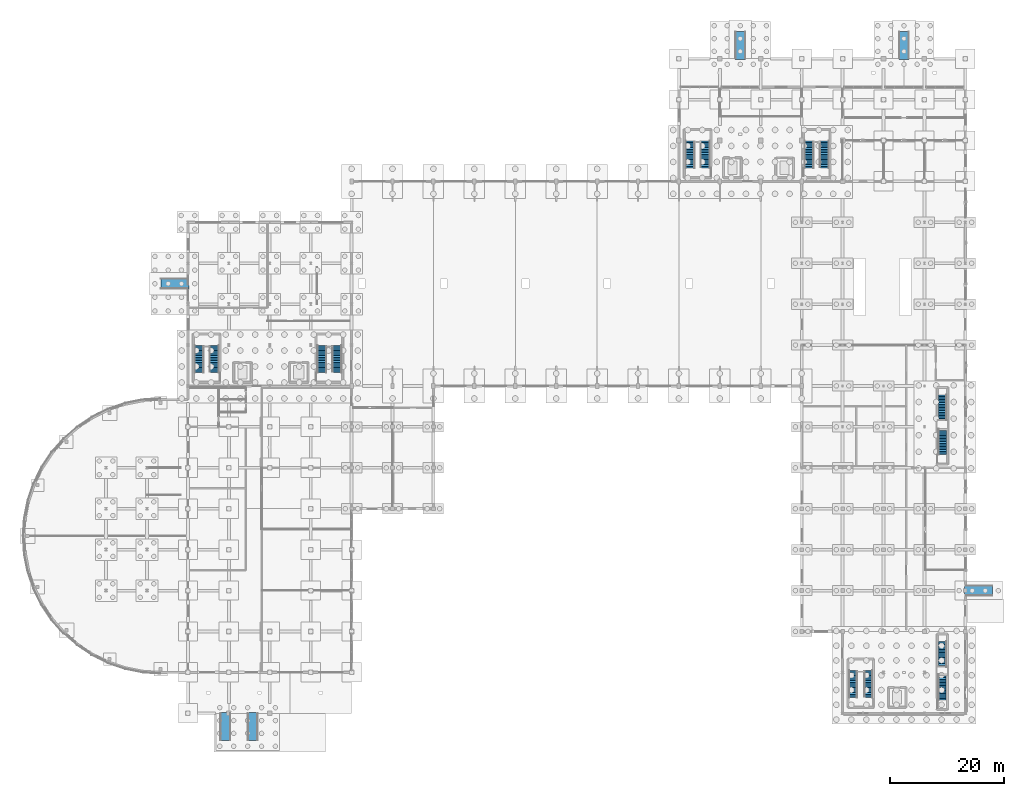
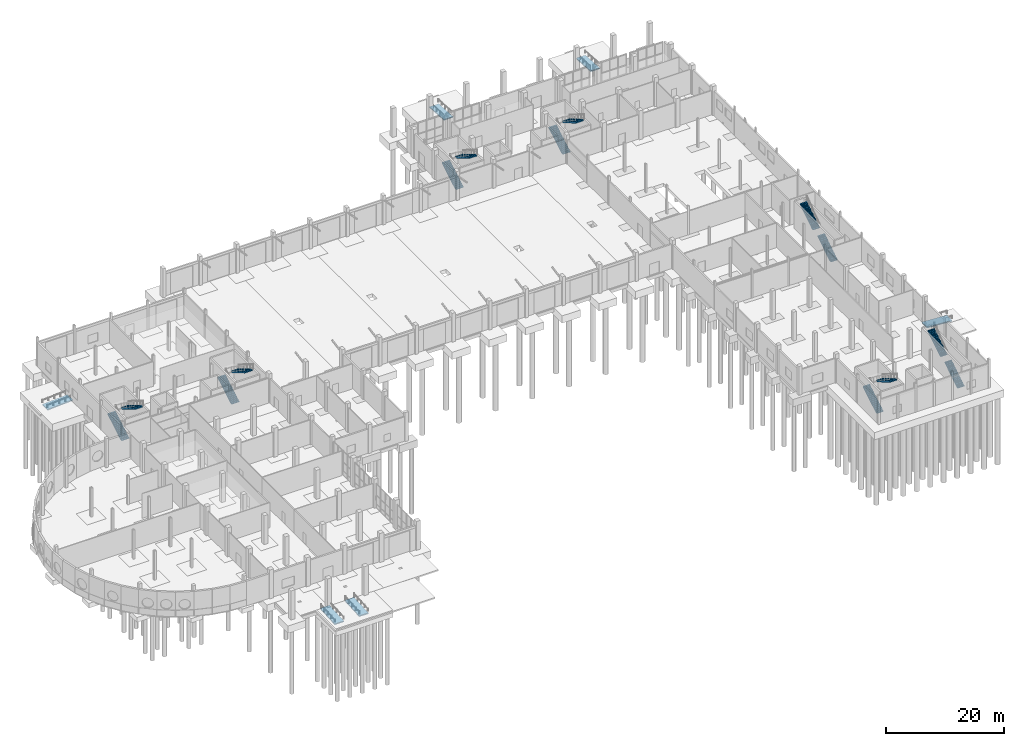
# One storey, part 38 of 45: 14 stair flights, 6 ramp flights, 13 elements without a shape of their own.
"""IFC4 building model written with IfcOpenShell, lengths in metres."""

from ifc_helpers import new_model, si_unit, direction, frame, origin, place, context, subcontext, project, spatial, polyline, outline, extrude, material, type_object, element, aggregate, save


model = new_model("IFC4")

# Units and contexts
model_context = context("Model", 3, precision=1e-05, world=origin(), true_north=direction((0.0, 1.0)))
body_context = subcontext(model_context, "Body", "Model", "MODEL_VIEW")
ifc_project = project(units=[si_unit("LENGTHUNIT", "METRE"), si_unit("AREAUNIT", "SQUARE_METRE"), si_unit("VOLUMEUNIT", "CUBIC_METRE"), si_unit("PLANEANGLEUNIT", "RADIAN"), si_unit("MASSUNIT", "GRAM", prefix="KILO")], contexts=[model_context])

# Site, building, storey
site_placement = place(None, origin())
site = spatial("IfcSite", under=ifc_project, at=site_placement, CompositionType="ELEMENT")
building_placement = place(site_placement, origin())
building = spatial("IfcBuilding", under=site, at=building_placement, Name="Yarey Park Central Fire Station", CompositionType="ELEMENT")
storey_placement = place(building_placement, origin())
storey = spatial("IfcBuildingStorey", under=building, at=storey_placement, Name="L01", CompositionType="ELEMENT", Elevation=0.0)

# Stair, stair flights
ifc_material_1 = material(Name="Concrete C40/50", Category="concrete")
stair_type_1 = type_object("IfcStairType", Name="INT_ST_1RUN_130_H60", PredefinedType="STRAIGHT_RUN_STAIR", material=ifc_material_1)
stair_1_placement = place(storey_placement, origin())
stair_1 = element("IfcStair", 1, at=stair_1_placement, inside=storey, type_object=stair_type_1, Name="Exit Stair ST-6 L01", PredefinedType="STRAIGHT_RUN_STAIR")
stair_flight_type_1 = type_object("IfcStairFlightType", Name="INT_FLT_130S_17", PredefinedType="STRAIGHT", material=ifc_material_1)
stair_flight_1_placement = place(storey_placement, frame((161.550048828125, 2.35009765625, 0.0), z_axis=(0.0, 0.0, 1.0), x_axis=(0.0, 1.0, 0.0)))
stair_flight_1 = element("IfcStairFlight", 2, at=stair_flight_1_placement, type_object=stair_flight_type_1, Name="STAIR_C6_L01_F1", NumberOfRisers=17, NumberOfTreads=16, PredefinedType="STRAIGHT", RiserHeight=0.176471, TreadLength=0.28, context=body_context, shape_type="SweptSolid", body=[
    extrude(outline(polyline([(0.0, 0.0), (0.0, 0.176513671875), (0.280029296875, 0.176513671875), (0.280029296875, 0.35302734375), (0.56005859375, 0.35302734375), (0.56005859375, 0.529296875), (0.840087890625, 0.529296875), (0.840087890625, 0.705810546875), (1.1201171875, 0.705810546875), (1.1201171875, 0.88232421875), (1.39990234375, 0.88232421875), (1.39990234375, 1.058837890625), (1.679931640625, 1.058837890625), (1.679931640625, 1.2353515625), (1.9599609375, 1.2353515625), (1.9599609375, 1.411865234375), (2.239990234375, 1.411865234375), (2.239990234375, 1.588134765625), (2.52001953125, 1.588134765625), (2.52001953125, 1.7646484375), (2.800048828125, 1.7646484375), (2.800048828125, 1.941162109375), (3.080078125, 1.941162109375), (3.080078125, 2.11767578125), (3.360107421875, 2.11767578125), (3.360107421875, 2.294189453125), (3.639892578125, 2.294189453125), (3.639892578125, 2.470703125), (3.919921875, 2.470703125), (3.919921875, 2.64697265625), (4.199951171875, 2.64697265625), (4.199951171875, 2.823486328125), (4.47998046875, 2.823486328125), (4.47998046875, 3.0), (4.47998046875, 2.5634765625), (0.41259765625, 0.0), (0.0, 0.0)])), frame((0.0, 0.64990234375, 0.0), z_axis=(0.0, -1.0, 0.0), x_axis=(1.0, 0.0, 0.0)), (0.0, 0.0, 1.0), 1.300048828125),
])
stair_flight_2_placement = place(storey_placement, frame((161.550048828125, 8.169921875, 3.0), z_axis=(0.0, 0.0, 1.0), x_axis=(0.0, 1.0, 0.0)))
stair_flight_2 = element("IfcStairFlight", 3, at=stair_flight_2_placement, type_object=stair_flight_type_1, Name="STAIR_C6_L01_F2", NumberOfRisers=17, NumberOfTreads=16, PredefinedType="STRAIGHT", RiserHeight=0.176471, TreadLength=0.28, context=body_context, shape_type="SweptSolid", body=[
    extrude(outline(polyline([(0.0, 0.0), (0.0, 0.176513671875), (0.280029296875, 0.176513671875), (0.280029296875, 0.35302734375), (0.56005859375, 0.35302734375), (0.56005859375, 0.529296875), (0.840087890625, 0.529296875), (0.840087890625, 0.705810546875), (1.1201171875, 0.705810546875), (1.1201171875, 0.88232421875), (1.39990234375, 0.88232421875), (1.39990234375, 1.058837890625), (1.679931640625, 1.058837890625), (1.679931640625, 1.2353515625), (1.9599609375, 1.2353515625), (1.9599609375, 1.411865234375), (2.239990234375, 1.411865234375), (2.239990234375, 1.588134765625), (2.52001953125, 1.588134765625), (2.52001953125, 1.7646484375), (2.800048828125, 1.7646484375), (2.800048828125, 1.941162109375), (3.080078125, 1.941162109375), (3.080078125, 2.11767578125), (3.360107421875, 2.11767578125), (3.360107421875, 2.294189453125), (3.639892578125, 2.294189453125), (3.639892578125, 2.470703125), (3.919921875, 2.470703125), (3.919921875, 2.64697265625), (4.199951171875, 2.64697265625), (4.199951171875, 2.823486328125), (4.47998046875, 2.823486328125), (4.47998046875, 3.0), (4.47998046875, 2.5634765625), (0.41259765625, 0.0), (0.0, 0.0)])), frame((0.0, 0.64990234375, 0.0), z_axis=(0.0, -1.0, 0.0), x_axis=(1.0, 0.0, 0.0)), (0.0, 0.0, 1.0), 1.300048828125),
])
aggregate(stair_1, [stair_flight_1, stair_flight_2])

stair_type_2 = type_object("IfcStairType", Name="INT_ST_2RUN_130_H60", PredefinedType="USERDEFINED", material=ifc_material_1)
stair_2_placement = place(storey_placement, origin())
stair_2 = element("IfcStair", 4, at=stair_2_placement, inside=storey, type_object=stair_type_2, Name="Exit Stair ST-5 L01", ObjectType="TWO_RUN_STAIR", PredefinedType="USERDEFINED")
stair_flight_type_2 = type_object("IfcStairFlightType", Name="INT_FLT_130_17", PredefinedType="STRAIGHT", material=ifc_material_1)
stair_flight_3_placement = place(storey_placement, frame((145.89990234375, 2.75, 0.0), z_axis=(0.0, 0.0, 1.0), x_axis=(0.0, 1.0, 0.0)))
stair_flight_3 = element("IfcStairFlight", 5, at=stair_flight_3_placement, type_object=stair_flight_type_2, Name="STAIR_C5_L01_F1", NumberOfRisers=17, NumberOfTreads=16, PredefinedType="STRAIGHT", RiserHeight=0.176471, TreadLength=0.3, context=body_context, shape_type="SweptSolid", body=[
    extrude(outline(polyline([(0.0, 0.0), (0.0, 0.176513671875), (0.300048828125, 0.176513671875), (0.300048828125, 0.35302734375), (0.60009765625, 0.35302734375), (0.60009765625, 0.529296875), (0.89990234375, 0.529296875), (0.89990234375, 0.705810546875), (1.199951171875, 0.705810546875), (1.199951171875, 0.88232421875), (1.5, 0.88232421875), (1.5, 1.058837890625), (1.800048828125, 1.058837890625), (1.800048828125, 1.2353515625), (2.10009765625, 1.2353515625), (2.10009765625, 1.411865234375), (2.39990234375, 1.411865234375), (2.39990234375, 1.588134765625), (2.699951171875, 1.588134765625), (2.699951171875, 1.7646484375), (3.0, 1.7646484375), (3.0, 1.941162109375), (3.300048828125, 1.941162109375), (3.300048828125, 2.11767578125), (3.60009765625, 2.11767578125), (3.60009765625, 2.294189453125), (3.89990234375, 2.294189453125), (3.89990234375, 2.470703125), (4.199951171875, 2.470703125), (4.199951171875, 2.64697265625), (4.5, 2.64697265625), (4.5, 2.823486328125), (4.800048828125, 2.823486328125), (4.800048828125, 3.0), (4.800048828125, 2.568359375), (0.433837890625, 0.0), (0.0, 0.0)])), frame((0.0, 0.64990234375, 0.0), z_axis=(0.0, -1.0, 0.0), x_axis=(1.0, 0.0, 0.0)), (0.0, 0.0, 1.0), 1.300048828125),
])
stair_flight_4_placement = place(storey_placement, frame((148.5, 7.550048828125, 3.0), z_axis=(0.0, 0.0, 1.0), x_axis=(0.0, -1.0, 0.0)))
stair_flight_4 = element("IfcStairFlight", 6, at=stair_flight_4_placement, type_object=stair_flight_type_2, Name="STAIR_C5_L01_F2", NumberOfRisers=17, NumberOfTreads=16, PredefinedType="STRAIGHT", RiserHeight=0.176471, TreadLength=0.3, context=body_context, shape_type="SweptSolid", body=[
    extrude(outline(polyline([(0.0, 0.0), (0.0, 0.176513671875), (0.300048828125, 0.176513671875), (0.300048828125, 0.35302734375), (0.60009765625, 0.35302734375), (0.60009765625, 0.529296875), (0.89990234375, 0.529296875), (0.89990234375, 0.705810546875), (1.199951171875, 0.705810546875), (1.199951171875, 0.88232421875), (1.5, 0.88232421875), (1.5, 1.058837890625), (1.800048828125, 1.058837890625), (1.800048828125, 1.2353515625), (2.10009765625, 1.2353515625), (2.10009765625, 1.411865234375), (2.39990234375, 1.411865234375), (2.39990234375, 1.588134765625), (2.699951171875, 1.588134765625), (2.699951171875, 1.7646484375), (3.0, 1.7646484375), (3.0, 1.941162109375), (3.300048828125, 1.941162109375), (3.300048828125, 2.11767578125), (3.60009765625, 2.11767578125), (3.60009765625, 2.294189453125), (3.89990234375, 2.294189453125), (3.89990234375, 2.470703125), (4.199951171875, 2.470703125), (4.199951171875, 2.64697265625), (4.5, 2.64697265625), (4.5, 2.823486328125), (4.800048828125, 2.823486328125), (4.800048828125, 3.0), (4.800048828125, 2.568359375), (0.433837890625, 0.0), (0.0, 0.0)])), frame((0.0, 0.64990234375, 0.0), z_axis=(0.0, -1.0, 0.0), x_axis=(1.0, 0.0, 0.0)), (0.0, 0.0, 1.0), 1.300048828125),
])
aggregate(stair_2, [stair_flight_3, stair_flight_4])

stair_type_3 = type_object("IfcStairType", Name="INT_ST_1RUN_135_H60", PredefinedType="STRAIGHT_RUN_STAIR", material=ifc_material_1)
stair_3_placement = place(storey_placement, origin())
stair_3 = element("IfcStair", 7, at=stair_3_placement, inside=storey, type_object=stair_type_3, Name="Exit Stair ST-7 L01", PredefinedType="STRAIGHT_RUN_STAIR")
stair_flight_type_3 = type_object("IfcStairFlightType", Name="INT_FLT_135S_17", PredefinedType="STRAIGHT", material=ifc_material_1)
stair_flight_5_placement = place(storey_placement, frame((161.574951171875, 45.550048828125, 0.0), z_axis=(0.0, 0.0, 1.0), x_axis=(0.0, 1.0, 0.0)))
stair_flight_5 = element("IfcStairFlight", 8, at=stair_flight_5_placement, type_object=stair_flight_type_3, Name="STAIR_C7_L01_F1", NumberOfRisers=17, NumberOfTreads=16, PredefinedType="STRAIGHT", RiserHeight=0.176471, TreadLength=0.28, context=body_context, shape_type="SweptSolid", body=[
    extrude(outline(polyline([(0.0, 0.0), (0.0, 0.176513671875), (0.280029296875, 0.176513671875), (0.280029296875, 0.35302734375), (0.56005859375, 0.35302734375), (0.56005859375, 0.529296875), (0.840087890625, 0.529296875), (0.840087890625, 0.705810546875), (1.1201171875, 0.705810546875), (1.1201171875, 0.88232421875), (1.39990234375, 0.88232421875), (1.39990234375, 1.058837890625), (1.679931640625, 1.058837890625), (1.679931640625, 1.2353515625), (1.9599609375, 1.2353515625), (1.9599609375, 1.411865234375), (2.239990234375, 1.411865234375), (2.239990234375, 1.588134765625), (2.52001953125, 1.588134765625), (2.52001953125, 1.7646484375), (2.800048828125, 1.7646484375), (2.800048828125, 1.941162109375), (3.080078125, 1.941162109375), (3.080078125, 2.11767578125), (3.360107421875, 2.11767578125), (3.360107421875, 2.294189453125), (3.639892578125, 2.294189453125), (3.639892578125, 2.470703125), (3.919921875, 2.470703125), (3.919921875, 2.64697265625), (4.199951171875, 2.64697265625), (4.199951171875, 2.823486328125), (4.47998046875, 2.823486328125), (4.47998046875, 3.0), (4.47998046875, 2.5634765625), (0.41259765625, 0.0), (0.0, 0.0)])), frame((0.0, 0.675048828125, 0.0), z_axis=(0.0, -1.0, 0.0), x_axis=(1.0, 0.0, 0.0)), (0.0, 0.0, 1.0), 1.35009765625),
])
stair_flight_6_placement = place(storey_placement, frame((161.574951171875, 51.570068359375, 3.0), z_axis=(0.0, 0.0, 1.0), x_axis=(0.0, 1.0, 0.0)))
stair_flight_6 = element("IfcStairFlight", 9, at=stair_flight_6_placement, type_object=stair_flight_type_3, Name="STAIR_C7_L01_F2", NumberOfRisers=17, NumberOfTreads=16, PredefinedType="STRAIGHT", RiserHeight=0.176471, TreadLength=0.28, context=body_context, shape_type="SweptSolid", body=[
    extrude(outline(polyline([(0.0, 0.0), (0.0, 0.176513671875), (0.280029296875, 0.176513671875), (0.280029296875, 0.35302734375), (0.56005859375, 0.35302734375), (0.56005859375, 0.529296875), (0.840087890625, 0.529296875), (0.840087890625, 0.705810546875), (1.1201171875, 0.705810546875), (1.1201171875, 0.88232421875), (1.39990234375, 0.88232421875), (1.39990234375, 1.058837890625), (1.679931640625, 1.058837890625), (1.679931640625, 1.2353515625), (1.9599609375, 1.2353515625), (1.9599609375, 1.411865234375), (2.239990234375, 1.411865234375), (2.239990234375, 1.588134765625), (2.52001953125, 1.588134765625), (2.52001953125, 1.7646484375), (2.800048828125, 1.7646484375), (2.800048828125, 1.941162109375), (3.080078125, 1.941162109375), (3.080078125, 2.11767578125), (3.360107421875, 2.11767578125), (3.360107421875, 2.294189453125), (3.639892578125, 2.294189453125), (3.639892578125, 2.470703125), (3.919921875, 2.470703125), (3.919921875, 2.64697265625), (4.199951171875, 2.64697265625), (4.199951171875, 2.823486328125), (4.47998046875, 2.823486328125), (4.47998046875, 3.0), (4.47998046875, 2.5634765625), (0.41259765625, 0.0), (0.0, 0.0)])), frame((0.0, 0.675048828125, 0.0), z_axis=(0.0, -1.0, 0.0), x_axis=(1.0, 0.0, 0.0)), (0.0, 0.0, 1.0), 1.35009765625),
])
aggregate(stair_3, [stair_flight_5, stair_flight_6])

stair_type_4 = type_object("IfcStairType", Name="INT_ST_2RUN_150_H60", PredefinedType="USERDEFINED", material=ifc_material_1)
stair_4_placement = place(storey_placement, origin())
stair_4 = element("IfcStair", 10, at=stair_4_placement, inside=storey, type_object=stair_type_4, Name="Exit Stair ST-1 L01", ObjectType="TWO_RUN_STAIR", PredefinedType="USERDEFINED")
stair_flight_type_4 = type_object("IfcStairFlightType", Name="INT_FLT_150_17", PredefinedType="STRAIGHT", material=ifc_material_1)
stair_flight_7_placement = place(storey_placement, frame((117.199951171875, 95.949951171875, 0.0), z_axis=(0.0, 0.0, 1.0), x_axis=(0.0, 1.0, 0.0)))
stair_flight_7 = element("IfcStairFlight", 11, at=stair_flight_7_placement, type_object=stair_flight_type_4, Name="STAIR_C1_L01_F1", NumberOfRisers=17, NumberOfTreads=16, PredefinedType="STRAIGHT", RiserHeight=0.176471, TreadLength=0.3, context=body_context, shape_type="SweptSolid", body=[
    extrude(outline(polyline([(0.0, 0.0), (0.0, 0.176513671875), (0.300048828125, 0.176513671875), (0.300048828125, 0.35302734375), (0.60009765625, 0.35302734375), (0.60009765625, 0.529296875), (0.89990234375, 0.529296875), (0.89990234375, 0.705810546875), (1.199951171875, 0.705810546875), (1.199951171875, 0.88232421875), (1.5, 0.88232421875), (1.5, 1.058837890625), (1.800048828125, 1.058837890625), (1.800048828125, 1.2353515625), (2.10009765625, 1.2353515625), (2.10009765625, 1.411865234375), (2.39990234375, 1.411865234375), (2.39990234375, 1.588134765625), (2.699951171875, 1.588134765625), (2.699951171875, 1.7646484375), (3.0, 1.7646484375), (3.0, 1.941162109375), (3.300048828125, 1.941162109375), (3.300048828125, 2.11767578125), (3.60009765625, 2.11767578125), (3.60009765625, 2.294189453125), (3.89990234375, 2.294189453125), (3.89990234375, 2.470703125), (4.199951171875, 2.470703125), (4.199951171875, 2.64697265625), (4.5, 2.64697265625), (4.5, 2.823486328125), (4.800048828125, 2.823486328125), (4.800048828125, 3.0), (4.800048828125, 2.568359375), (0.433837890625, 0.0), (0.0, 0.0)])), frame((0.0, 0.75, 0.0), z_axis=(0.0, -1.0, 0.0), x_axis=(1.0, 0.0, 0.0)), (0.0, 0.0, 1.0), 1.5),
])
stair_flight_8_placement = place(storey_placement, frame((119.800048828125, 100.75, 3.0), z_axis=(0.0, 0.0, 1.0), x_axis=(0.0, -1.0, 0.0)))
stair_flight_8 = element("IfcStairFlight", 12, at=stair_flight_8_placement, type_object=stair_flight_type_4, Name="STAIR_C1_L01_F2", NumberOfRisers=17, NumberOfTreads=16, PredefinedType="STRAIGHT", RiserHeight=0.176471, TreadLength=0.3, context=body_context, shape_type="SweptSolid", body=[
    extrude(outline(polyline([(0.0, 0.0), (0.0, 0.176513671875), (0.300048828125, 0.176513671875), (0.300048828125, 0.35302734375), (0.60009765625, 0.35302734375), (0.60009765625, 0.529296875), (0.89990234375, 0.529296875), (0.89990234375, 0.705810546875), (1.199951171875, 0.705810546875), (1.199951171875, 0.88232421875), (1.5, 0.88232421875), (1.5, 1.058837890625), (1.800048828125, 1.058837890625), (1.800048828125, 1.2353515625), (2.10009765625, 1.2353515625), (2.10009765625, 1.411865234375), (2.39990234375, 1.411865234375), (2.39990234375, 1.588134765625), (2.699951171875, 1.588134765625), (2.699951171875, 1.7646484375), (3.0, 1.7646484375), (3.0, 1.941162109375), (3.300048828125, 1.941162109375), (3.300048828125, 2.11767578125), (3.60009765625, 2.11767578125), (3.60009765625, 2.294189453125), (3.89990234375, 2.294189453125), (3.89990234375, 2.470703125), (4.199951171875, 2.470703125), (4.199951171875, 2.64697265625), (4.5, 2.64697265625), (4.5, 2.823486328125), (4.800048828125, 2.823486328125), (4.800048828125, 3.0), (4.800048828125, 2.568359375), (0.433837890625, 0.0), (0.0, 0.0)])), frame((0.0, 0.75, 0.0), z_axis=(0.0, -1.0, 0.0), x_axis=(1.0, 0.0, 0.0)), (0.0, 0.0, 1.0), 1.5),
])
aggregate(stair_4, [stair_flight_7, stair_flight_8])

stair_5_placement = place(storey_placement, origin())
stair_5 = element("IfcStair", 13, at=stair_5_placement, inside=storey, type_object=stair_type_4, Name="Exit Stair ST-2 L01", ObjectType="TWO_RUN_STAIR", PredefinedType="USERDEFINED")
stair_flight_9_placement = place(storey_placement, frame((138.14990234375, 95.949951171875, 0.0), z_axis=(0.0, 0.0, 1.0), x_axis=(0.0, 1.0, 0.0)))
stair_flight_9 = element("IfcStairFlight", 14, at=stair_flight_9_placement, type_object=stair_flight_type_4, Name="STAIR_C2_L01_F1", NumberOfRisers=17, NumberOfTreads=16, PredefinedType="STRAIGHT", RiserHeight=0.176471, TreadLength=0.3, context=body_context, shape_type="SweptSolid", body=[
    extrude(outline(polyline([(0.0, 0.0), (0.0, 0.176513671875), (0.300048828125, 0.176513671875), (0.300048828125, 0.35302734375), (0.60009765625, 0.35302734375), (0.60009765625, 0.529296875), (0.89990234375, 0.529296875), (0.89990234375, 0.705810546875), (1.199951171875, 0.705810546875), (1.199951171875, 0.88232421875), (1.5, 0.88232421875), (1.5, 1.058837890625), (1.800048828125, 1.058837890625), (1.800048828125, 1.2353515625), (2.10009765625, 1.2353515625), (2.10009765625, 1.411865234375), (2.39990234375, 1.411865234375), (2.39990234375, 1.588134765625), (2.699951171875, 1.588134765625), (2.699951171875, 1.7646484375), (3.0, 1.7646484375), (3.0, 1.941162109375), (3.300048828125, 1.941162109375), (3.300048828125, 2.11767578125), (3.60009765625, 2.11767578125), (3.60009765625, 2.294189453125), (3.89990234375, 2.294189453125), (3.89990234375, 2.470703125), (4.199951171875, 2.470703125), (4.199951171875, 2.64697265625), (4.5, 2.64697265625), (4.5, 2.823486328125), (4.800048828125, 2.823486328125), (4.800048828125, 3.0), (4.800048828125, 2.568359375), (0.433837890625, 0.0), (0.0, 0.0)])), frame((0.0, 0.75, 0.0), z_axis=(0.0, -1.0, 0.0), x_axis=(1.0, 0.0, 0.0)), (0.0, 0.0, 1.0), 1.5),
])
stair_flight_10_placement = place(storey_placement, frame((140.75, 100.75, 3.0), z_axis=(0.0, 0.0, 1.0), x_axis=(0.0, -1.0, 0.0)))
stair_flight_10 = element("IfcStairFlight", 15, at=stair_flight_10_placement, type_object=stair_flight_type_4, Name="STAIR_C2_L01_F2", NumberOfRisers=17, NumberOfTreads=16, PredefinedType="STRAIGHT", RiserHeight=0.176471, TreadLength=0.3, context=body_context, shape_type="SweptSolid", body=[
    extrude(outline(polyline([(0.0, 0.0), (0.0, 0.176513671875), (0.300048828125, 0.176513671875), (0.300048828125, 0.35302734375), (0.60009765625, 0.35302734375), (0.60009765625, 0.529296875), (0.89990234375, 0.529296875), (0.89990234375, 0.705810546875), (1.199951171875, 0.705810546875), (1.199951171875, 0.88232421875), (1.5, 0.88232421875), (1.5, 1.058837890625), (1.800048828125, 1.058837890625), (1.800048828125, 1.2353515625), (2.10009765625, 1.2353515625), (2.10009765625, 1.411865234375), (2.39990234375, 1.411865234375), (2.39990234375, 1.588134765625), (2.699951171875, 1.588134765625), (2.699951171875, 1.7646484375), (3.0, 1.7646484375), (3.0, 1.941162109375), (3.300048828125, 1.941162109375), (3.300048828125, 2.11767578125), (3.60009765625, 2.11767578125), (3.60009765625, 2.294189453125), (3.89990234375, 2.294189453125), (3.89990234375, 2.470703125), (4.199951171875, 2.470703125), (4.199951171875, 2.64697265625), (4.5, 2.64697265625), (4.5, 2.823486328125), (4.800048828125, 2.823486328125), (4.800048828125, 3.0), (4.800048828125, 2.568359375), (0.433837890625, 0.0), (0.0, 0.0)])), frame((0.0, 0.75, 0.0), z_axis=(0.0, -1.0, 0.0), x_axis=(1.0, 0.0, 0.0)), (0.0, 0.0, 1.0), 1.5),
])
aggregate(stair_5, [stair_flight_9, stair_flight_10])

stair_6_placement = place(storey_placement, origin())
stair_6 = element("IfcStair", 16, at=stair_6_placement, inside=storey, type_object=stair_type_4, Name="Exit Stair ST-3 L01", ObjectType="TWO_RUN_STAIR", PredefinedType="USERDEFINED")
stair_flight_11_placement = place(storey_placement, frame((30.800048828125, 59.949951171875, 0.0), z_axis=(0.0, 0.0, 1.0), x_axis=(0.0, 1.0, 0.0)))
stair_flight_11 = element("IfcStairFlight", 17, at=stair_flight_11_placement, type_object=stair_flight_type_4, Name="STAIR_C3_L01_F1", NumberOfRisers=17, NumberOfTreads=16, PredefinedType="STRAIGHT", RiserHeight=0.176471, TreadLength=0.3, context=body_context, shape_type="SweptSolid", body=[
    extrude(outline(polyline([(0.0, 0.0), (0.0, 0.176513671875), (0.300048828125, 0.176513671875), (0.300048828125, 0.35302734375), (0.60009765625, 0.35302734375), (0.60009765625, 0.529296875), (0.89990234375, 0.529296875), (0.89990234375, 0.705810546875), (1.199951171875, 0.705810546875), (1.199951171875, 0.88232421875), (1.5, 0.88232421875), (1.5, 1.058837890625), (1.800048828125, 1.058837890625), (1.800048828125, 1.2353515625), (2.10009765625, 1.2353515625), (2.10009765625, 1.411865234375), (2.39990234375, 1.411865234375), (2.39990234375, 1.588134765625), (2.699951171875, 1.588134765625), (2.699951171875, 1.7646484375), (3.0, 1.7646484375), (3.0, 1.941162109375), (3.300048828125, 1.941162109375), (3.300048828125, 2.11767578125), (3.60009765625, 2.11767578125), (3.60009765625, 2.294189453125), (3.89990234375, 2.294189453125), (3.89990234375, 2.470703125), (4.199951171875, 2.470703125), (4.199951171875, 2.64697265625), (4.5, 2.64697265625), (4.5, 2.823486328125), (4.800048828125, 2.823486328125), (4.800048828125, 3.0), (4.800048828125, 2.568359375), (0.433837890625, 0.0), (0.0, 0.0)])), frame((0.0, 0.75, 0.0), z_axis=(0.0, -1.0, 0.0), x_axis=(1.0, 0.0, 0.0)), (0.0, 0.0, 1.0), 1.5),
])
stair_flight_12_placement = place(storey_placement, frame((33.39990234375, 64.75, 3.0), z_axis=(0.0, 0.0, 1.0), x_axis=(0.0, -1.0, 0.0)))
stair_flight_12 = element("IfcStairFlight", 18, at=stair_flight_12_placement, type_object=stair_flight_type_4, Name="STAIR_C3_L01_F2", NumberOfRisers=17, NumberOfTreads=16, PredefinedType="STRAIGHT", RiserHeight=0.176471, TreadLength=0.3, context=body_context, shape_type="SweptSolid", body=[
    extrude(outline(polyline([(0.0, 0.0), (0.0, 0.176513671875), (0.300048828125, 0.176513671875), (0.300048828125, 0.35302734375), (0.60009765625, 0.35302734375), (0.60009765625, 0.529296875), (0.89990234375, 0.529296875), (0.89990234375, 0.705810546875), (1.199951171875, 0.705810546875), (1.199951171875, 0.88232421875), (1.5, 0.88232421875), (1.5, 1.058837890625), (1.800048828125, 1.058837890625), (1.800048828125, 1.2353515625), (2.10009765625, 1.2353515625), (2.10009765625, 1.411865234375), (2.39990234375, 1.411865234375), (2.39990234375, 1.588134765625), (2.699951171875, 1.588134765625), (2.699951171875, 1.7646484375), (3.0, 1.7646484375), (3.0, 1.941162109375), (3.300048828125, 1.941162109375), (3.300048828125, 2.11767578125), (3.60009765625, 2.11767578125), (3.60009765625, 2.294189453125), (3.89990234375, 2.294189453125), (3.89990234375, 2.470703125), (4.199951171875, 2.470703125), (4.199951171875, 2.64697265625), (4.5, 2.64697265625), (4.5, 2.823486328125), (4.800048828125, 2.823486328125), (4.800048828125, 3.0), (4.800048828125, 2.568359375), (0.433837890625, 0.0), (0.0, 0.0)])), frame((0.0, 0.75, 0.0), z_axis=(0.0, -1.0, 0.0), x_axis=(1.0, 0.0, 0.0)), (0.0, 0.0, 1.0), 1.5),
])
aggregate(stair_6, [stair_flight_11, stair_flight_12])

stair_7_placement = place(storey_placement, origin())
stair_7 = element("IfcStair", 19, at=stair_7_placement, inside=storey, type_object=stair_type_4, Name="Exit Stair ST-4 L01", ObjectType="TWO_RUN_STAIR", PredefinedType="USERDEFINED")
stair_flight_13_placement = place(storey_placement, frame((52.39990234375, 59.949951171875, 0.0), z_axis=(0.0, 0.0, 1.0), x_axis=(0.0, 1.0, 0.0)))
stair_flight_13 = element("IfcStairFlight", 20, at=stair_flight_13_placement, type_object=stair_flight_type_4, Name="STAIR_C4_L01_F1", NumberOfRisers=17, NumberOfTreads=16, PredefinedType="STRAIGHT", RiserHeight=0.176471, TreadLength=0.3, context=body_context, shape_type="SweptSolid", body=[
    extrude(outline(polyline([(0.0, 0.0), (0.0, 0.176513671875), (0.300048828125, 0.176513671875), (0.300048828125, 0.35302734375), (0.60009765625, 0.35302734375), (0.60009765625, 0.529296875), (0.89990234375, 0.529296875), (0.89990234375, 0.705810546875), (1.199951171875, 0.705810546875), (1.199951171875, 0.88232421875), (1.5, 0.88232421875), (1.5, 1.058837890625), (1.800048828125, 1.058837890625), (1.800048828125, 1.2353515625), (2.10009765625, 1.2353515625), (2.10009765625, 1.411865234375), (2.39990234375, 1.411865234375), (2.39990234375, 1.588134765625), (2.699951171875, 1.588134765625), (2.699951171875, 1.7646484375), (3.0, 1.7646484375), (3.0, 1.941162109375), (3.300048828125, 1.941162109375), (3.300048828125, 2.11767578125), (3.60009765625, 2.11767578125), (3.60009765625, 2.294189453125), (3.89990234375, 2.294189453125), (3.89990234375, 2.470703125), (4.199951171875, 2.470703125), (4.199951171875, 2.64697265625), (4.5, 2.64697265625), (4.5, 2.823486328125), (4.800048828125, 2.823486328125), (4.800048828125, 3.0), (4.800048828125, 2.568359375), (0.433837890625, 0.0), (0.0, 0.0)])), frame((0.0, 0.75, 0.0), z_axis=(0.0, -1.0, 0.0), x_axis=(1.0, 0.0, 0.0)), (0.0, 0.0, 1.0), 1.5),
])
stair_flight_14_placement = place(storey_placement, frame((55.0, 64.75, 3.0), z_axis=(0.0, 0.0, 1.0), x_axis=(0.0, -1.0, 0.0)))
stair_flight_14 = element("IfcStairFlight", 21, at=stair_flight_14_placement, type_object=stair_flight_type_4, Name="STAIR_C4_L01_F2", NumberOfRisers=17, NumberOfTreads=16, PredefinedType="STRAIGHT", RiserHeight=0.176471, TreadLength=0.3, context=body_context, shape_type="SweptSolid", body=[
    extrude(outline(polyline([(0.0, 0.0), (0.0, 0.176513671875), (0.300048828125, 0.176513671875), (0.300048828125, 0.35302734375), (0.60009765625, 0.35302734375), (0.60009765625, 0.529296875), (0.89990234375, 0.529296875), (0.89990234375, 0.705810546875), (1.199951171875, 0.705810546875), (1.199951171875, 0.88232421875), (1.5, 0.88232421875), (1.5, 1.058837890625), (1.800048828125, 1.058837890625), (1.800048828125, 1.2353515625), (2.10009765625, 1.2353515625), (2.10009765625, 1.411865234375), (2.39990234375, 1.411865234375), (2.39990234375, 1.588134765625), (2.699951171875, 1.588134765625), (2.699951171875, 1.7646484375), (3.0, 1.7646484375), (3.0, 1.941162109375), (3.300048828125, 1.941162109375), (3.300048828125, 2.11767578125), (3.60009765625, 2.11767578125), (3.60009765625, 2.294189453125), (3.89990234375, 2.294189453125), (3.89990234375, 2.470703125), (4.199951171875, 2.470703125), (4.199951171875, 2.64697265625), (4.5, 2.64697265625), (4.5, 2.823486328125), (4.800048828125, 2.823486328125), (4.800048828125, 3.0), (4.800048828125, 2.568359375), (0.433837890625, 0.0), (0.0, 0.0)])), frame((0.0, 0.75, 0.0), z_axis=(0.0, -1.0, 0.0), x_axis=(1.0, 0.0, 0.0)), (0.0, 0.0, 1.0), 1.5),
])
aggregate(stair_7, [stair_flight_13, stair_flight_14])

# Ramp, ramp flight
ifc_material_2 = material(Name="Concrete C35/45", Category="concrete")
ramp_type = type_object("IfcRampType", Name="ENV_RAMP_ACC", PredefinedType="STRAIGHT_RUN_RAMP", material=ifc_material_2)
ramp_1_placement = place(storey_placement, origin())
ramp_1 = element("IfcRamp", 22, at=ramp_1_placement, inside=storey, type_object=ramp_type, Name="RAMP_01_V1_SOUTH", PredefinedType="STRAIGHT_RUN_RAMP")
ramp_flight_type = type_object("IfcRampFlightType", Name="ENV_RAMP_FLT", PredefinedType="STRAIGHT", material=ifc_material_2)
ramp_flight_1_placement = place(storey_placement, frame((35.39990234375, -4.75, -0.300048828125), z_axis=(0.0, 0.0, 1.0), x_axis=(0.0, 1.0, 0.0)))
ramp_flight_1 = element("IfcRampFlight", 23, at=ramp_flight_1_placement, type_object=ramp_flight_type, Name="RAMP_FLT_01_V1_SOUTH", PredefinedType="STRAIGHT", context=body_context, shape_type="SweptSolid", body=[
    extrude(outline(polyline([(0.0, 0.0), (0.0, -0.219970703125), (4.89990234375, 0.080078125), (4.89990234375, 0.300048828125), (0.0, 0.0)])), frame((0.0, 0.89990234375, 0.0), z_axis=(0.0, -1.0, 0.0), x_axis=(1.0, 0.0, 0.0)), (0.0, 0.0, 1.0), 1.800048828125),
])
aggregate(ramp_1, [ramp_flight_1])

ramp_2_placement = place(storey_placement, origin())
ramp_2 = element("IfcRamp", 24, at=ramp_2_placement, inside=storey, type_object=ramp_type, Name="RAMP_02_V1_SOUTH2", PredefinedType="STRAIGHT_RUN_RAMP")
ramp_flight_2_placement = place(storey_placement, frame((40.199951171875, -4.75, -0.300048828125), z_axis=(0.0, 0.0, 1.0), x_axis=(0.0, 1.0, 0.0)))
ramp_flight_2 = element("IfcRampFlight", 25, at=ramp_flight_2_placement, type_object=ramp_flight_type, Name="RAMP_FLT_02_V1_SOUTH2", PredefinedType="STRAIGHT", context=body_context, shape_type="SweptSolid", body=[
    extrude(outline(polyline([(0.0, 0.0), (0.0, -0.219970703125), (4.89990234375, 0.080078125), (4.89990234375, 0.300048828125), (0.0, 0.0)])), frame((0.0, 0.89990234375, 0.0), z_axis=(0.0, -1.0, 0.0), x_axis=(1.0, 0.0, 0.0)), (0.0, 0.0, 1.0), 1.800048828125),
])
aggregate(ramp_2, [ramp_flight_2])

ramp_3_placement = place(storey_placement, origin())
ramp_3 = element("IfcRamp", 26, at=ramp_3_placement, inside=storey, type_object=ramp_type, Name="RAMP_03_V4_NORTH1", PredefinedType="STRAIGHT_RUN_RAMP")
ramp_flight_3_placement = place(storey_placement, frame((126.0, 119.949951171875, -0.300048828125), z_axis=(0.0, 0.0, 1.0), x_axis=(0.0, -1.0, 0.0)))
ramp_flight_3 = element("IfcRampFlight", 27, at=ramp_flight_3_placement, type_object=ramp_flight_type, Name="RAMP_FLT_03_V4_NORTH1", PredefinedType="STRAIGHT", context=body_context, shape_type="SweptSolid", body=[
    extrude(outline(polyline([(0.0, 0.0), (0.0, -0.219970703125), (4.89990234375, 0.080078125), (4.89990234375, 0.300048828125), (0.0, 0.0)])), frame((0.0, 0.89990234375, 0.0), z_axis=(0.0, -1.0, 0.0), x_axis=(1.0, 0.0, 0.0)), (0.0, 0.0, 1.0), 1.800048828125),
])
aggregate(ramp_3, [ramp_flight_3])

ramp_4_placement = place(storey_placement, origin())
ramp_4 = element("IfcRamp", 28, at=ramp_4_placement, inside=storey, type_object=ramp_type, Name="RAMP_04_V4_NORTH2", PredefinedType="STRAIGHT_RUN_RAMP")
ramp_flight_4_placement = place(storey_placement, frame((154.800048828125, 119.949951171875, -0.300048828125), z_axis=(0.0, 0.0, 1.0), x_axis=(0.0, -1.0, 0.0)))
ramp_flight_4 = element("IfcRampFlight", 29, at=ramp_flight_4_placement, type_object=ramp_flight_type, Name="RAMP_FLT_04_V4_NORTH2", PredefinedType="STRAIGHT", context=body_context, shape_type="SweptSolid", body=[
    extrude(outline(polyline([(0.0, 0.0), (0.0, -0.219970703125), (4.89990234375, 0.080078125), (4.89990234375, 0.300048828125), (0.0, 0.0)])), frame((0.0, 0.89990234375, 0.0), z_axis=(0.0, -1.0, 0.0), x_axis=(1.0, 0.0, 0.0)), (0.0, 0.0, 1.0), 1.800048828125),
])
aggregate(ramp_4, [ramp_flight_4])

ramp_5_placement = place(storey_placement, origin())
ramp_5 = element("IfcRamp", 30, at=ramp_5_placement, inside=storey, type_object=ramp_type, Name="RAMP_05_V3_WEST", PredefinedType="STRAIGHT_RUN_RAMP")
ramp_flight_5_placement = place(storey_placement, frame((24.050048828125, 75.60009765625, -0.300048828125), z_axis=(0.0, 0.0, 1.0), x_axis=(1.0, 0.0, 0.0)))
ramp_flight_5 = element("IfcRampFlight", 31, at=ramp_flight_5_placement, type_object=ramp_flight_type, Name="RAMP_FLT_05_V3_WEST", PredefinedType="STRAIGHT", context=body_context, shape_type="SweptSolid", body=[
    extrude(outline(polyline([(0.0, 0.0), (0.0, -0.219970703125), (4.89990234375, 0.080078125), (4.89990234375, 0.300048828125), (0.0, 0.0)])), frame((0.0, 0.89990234375, 0.0), z_axis=(0.0, -1.0, 0.0), x_axis=(1.0, 0.0, 0.0)), (0.0, 0.0, 1.0), 1.800048828125),
])
aggregate(ramp_5, [ramp_flight_5])

ramp_6_placement = place(storey_placement, origin())
ramp_6 = element("IfcRamp", 32, at=ramp_6_placement, inside=storey, type_object=ramp_type, Name="RAMP_06_V6_EAST", PredefinedType="STRAIGHT_RUN_RAMP")
ramp_flight_6_placement = place(storey_placement, frame((170.35009765625, 21.60009765625, -0.300048828125), z_axis=(0.0, 0.0, 1.0), x_axis=(-1.0, 0.0, 0.0)))
ramp_flight_6 = element("IfcRampFlight", 33, at=ramp_flight_6_placement, type_object=ramp_flight_type, Name="RAMP_FLT_06_V6_EAST", PredefinedType="STRAIGHT", context=body_context, shape_type="SweptSolid", body=[
    extrude(outline(polyline([(0.0, 0.0), (0.0, -0.219970703125), (4.89990234375, 0.080078125), (4.89990234375, 0.300048828125), (0.0, 0.0)])), frame((0.0, 0.89990234375, 0.0), z_axis=(0.0, -1.0, 0.0), x_axis=(1.0, 0.0, 0.0)), (0.0, 0.0, 1.0), 1.800048828125),
])
aggregate(ramp_6, [ramp_flight_6])

save(model, "model.ifc")
